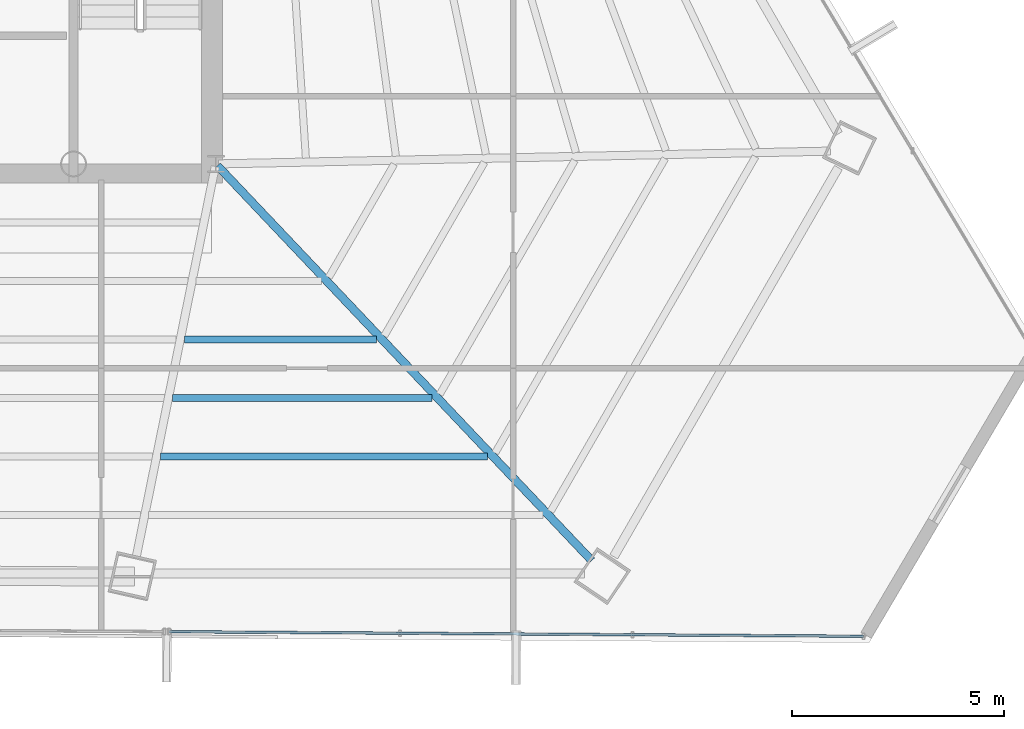
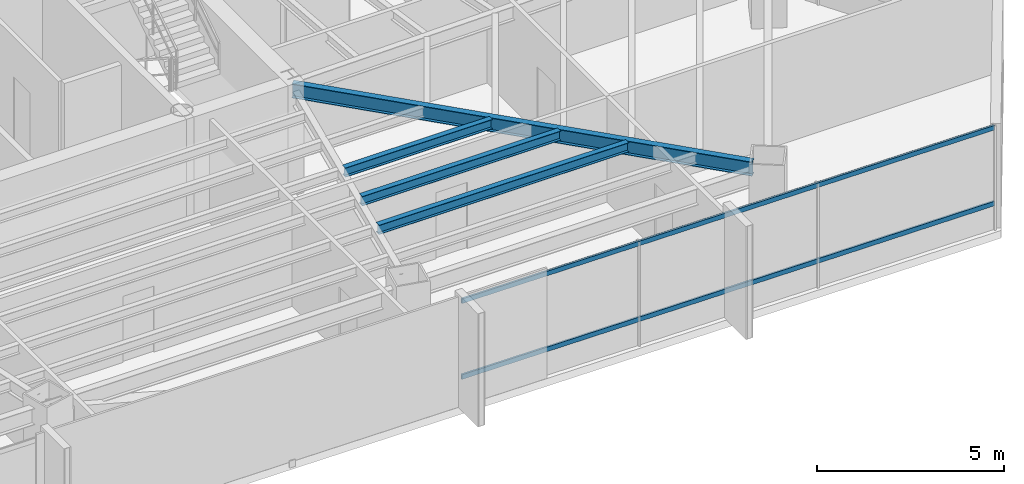
# One storey, part 18 of 41: 4 beams, 2 members, 1 element without a shape of its own.
"""IFC4 building model written with IfcOpenShell, lengths in metres."""

from ifc_helpers import new_model, si_unit, direction, frame, origin, origin_2d, place, context, subcontext, project, spatial, hollow_rectangle, i_section, extrude, source, transform, mapped, material, material_profile, profile_set, type_object, type_shapes, element, aggregate, save


model = new_model("IFC4")

# Units and contexts
model_context = context("Model", 3, precision=1e-05, world=origin(), true_north=direction((0.0, 1.0)))
body_context = subcontext(model_context, "Body", "Model", "MODEL_VIEW")
ifc_project = project(units=[si_unit("LENGTHUNIT", "METRE"), si_unit("AREAUNIT", "SQUARE_METRE"), si_unit("VOLUMEUNIT", "CUBIC_METRE"), si_unit("PLANEANGLEUNIT", "RADIAN"), si_unit("MASSUNIT", "GRAM", prefix="KILO")], contexts=[model_context])

# Site, building, storey
site_placement = place(None, origin())
site = spatial("IfcSite", under=ifc_project, at=site_placement, CompositionType="ELEMENT")
building_placement = place(site_placement, origin())
building = spatial("IfcBuilding", under=site, at=building_placement, Name="Caelisora Broadcast Tower", CompositionType="ELEMENT")
storey_placement = place(building_placement, frame((0.0, 0.0, 173.10009765625)))
storey = spatial("IfcBuildingStorey", under=building, at=storey_placement, Name="L45", CompositionType="ELEMENT", Elevation=173.10009765625)

# Beams
ifc_material_1 = material(Name="Steel Grade 350 (AS/NZS 3679.1)", Category="steel")
ifc_material_profile_1 = material_profile(ifc_material_1, i_section(OverallWidth=0.19091796875, OverallDepth=0.46044921875, WebThickness=0.010009765625, FlangeThickness=0.01611328125, at=origin_2d()), Name="Steel Grade 350 (AS/NZS 3679.1)")
ifc_profile_set_1 = profile_set([ifc_material_profile_1], Name="Steel Grade 350 (AS/NZS 3679.1)")
beam_type_1 = type_object("IfcBeamType", Name="PG06", PredefinedType="BEAM", material=ifc_profile_set_1)
shared_shape_1 = source(origin(), body_context, "Body", "SweptSolid", [
    extrude(i_section(OverallWidth=0.19091796875, OverallDepth=0.46044921875, WebThickness=0.010009765625, FlangeThickness=0.01611328125, at=origin_2d()), origin(), (0.0, 0.0, 1.0), 12.80908203125),
])
type_shapes(beam_type_1, [shared_shape_1])
beam_1_placement = place(storey_placement, frame((45.541259765625, 17.3564453125, 3.169677734375), z_axis=(0.687868345795, -0.725835476436, 0.0), x_axis=(0.725835476436, 0.687868345795, 0.0)))
element("IfcBeam", 1, at=beam_1_placement, inside=storey, type_object=beam_type_1, Name="L45 beam PG06", PredefinedType="BEAM", context=body_context, shape_type="MappedRepresentation", body=[
    mapped(shared_shape_1, transform((0.0, 0.0, 0.0), scale=1.0)),
])
ifc_material_profile_2 = material_profile(ifc_material_1, i_section(OverallWidth=0.166015625, OverallDepth=0.30712890625, WebThickness=0.006591796875, FlangeThickness=0.01171875, at=origin_2d()), Name="Steel Grade 350 (AS/NZS 3679.1)")
ifc_profile_set_2 = profile_set([ifc_material_profile_2], Name="Steel Grade 350 (AS/NZS 3679.1)")
beam_type_2 = type_object("IfcBeamType", Name="SB03", PredefinedType="JOIST", material=ifc_profile_set_2)
shared_shape_2 = source(origin(), body_context, "Body", "SweptSolid", [
    extrude(i_section(OverallWidth=0.166015625, OverallDepth=0.30712890625, WebThickness=0.006591796875, FlangeThickness=0.01171875, at=origin_2d()), origin(), (0.0, 0.0, 1.0), 4.53173828125),
])
beam_2_placement = place(storey_placement, frame((44.75732421875, 13.26611328125, 3.246337890625), z_axis=(1.0, 0.0, 0.0), x_axis=(0.0, 1.0, 0.0)))
element("IfcBeam", 2, at=beam_2_placement, inside=storey, type_object=beam_type_2, Name="L45 beam SB03", PredefinedType="JOIST", context=body_context, shape_type="MappedRepresentation", body=[
    mapped(shared_shape_2, transform((0.0, 0.0, 0.0), scale=1.0)),
])
shared_shape_3 = source(origin(), body_context, "Body", "SweptSolid", [
    extrude(i_section(OverallWidth=0.166015625, OverallDepth=0.30712890625, WebThickness=0.006591796875, FlangeThickness=0.01171875, at=origin_2d()), origin(), (0.0, 0.0, 1.0), 6.116455078125),
])
beam_3_placement = place(storey_placement, frame((44.478515625, 11.88818359375, 3.246337890625), z_axis=(1.0, 0.0, 0.0), x_axis=(0.0, 1.0, 0.0)))
element("IfcBeam", 3, at=beam_3_placement, inside=storey, type_object=beam_type_2, Name="L45 beam SB03", PredefinedType="JOIST", context=body_context, shape_type="MappedRepresentation", body=[
    mapped(shared_shape_3, transform((0.0, 0.0, 0.0), scale=1.0)),
])
shared_shape_4 = source(origin(), body_context, "Body", "SweptSolid", [
    extrude(i_section(OverallWidth=0.166015625, OverallDepth=0.30712890625, WebThickness=0.006591796875, FlangeThickness=0.01171875, at=origin_2d()), origin(), (0.0, 0.0, 1.0), 7.701416015625),
])
type_shapes(beam_type_2, [shared_shape_2, shared_shape_3, shared_shape_4])
beam_4_placement = place(storey_placement, frame((44.199462890625, 10.51025390625, 3.246337890625), z_axis=(1.0, 0.0, 0.0), x_axis=(0.0, 1.0, 0.0)))
element("IfcBeam", 4, at=beam_4_placement, inside=storey, type_object=beam_type_2, Name="L45 beam SB03", PredefinedType="JOIST", context=body_context, shape_type="MappedRepresentation", body=[
    mapped(shared_shape_4, transform((0.0, 0.0, 0.0), scale=1.0)),
])

# Curtain wall, members
ifc_material_2 = material(Name="Unitised Aluminium and Low-E Glass Curtain Wall", Category="glass")
curtain_wall_type = type_object("IfcCurtainWallType", Name="CW-Z3", PredefinedType="NOTDEFINED", material=ifc_material_2)
curtain_wall_placement = place(storey_placement, origin())
curtain_wall = element("IfcCurtainWall", 5, at=curtain_wall_placement, inside=storey, type_object=curtain_wall_type, Name="L45 curtain wall CW-Z3", PredefinedType="NOTDEFINED")
ifc_material_3 = material(Name="Aluminium 6063-T6 Anodised Terracotta Bronze", Category="aluminium")
ifc_material_profile_3 = material_profile(ifc_material_3, hollow_rectangle(XDim=0.06005859375, YDim=0.14990234375, WallThickness=0.00341796875, at=origin_2d()), Name="Aluminium 6063-T6 Anodised Terracotta Bronze")
ifc_profile_set_3 = profile_set([ifc_material_profile_3], Name="Aluminium 6063-T6 Anodised Terracotta Bronze")
member_type = type_object("IfcMemberType", Name="CWT-02", PredefinedType="USERDEFINED", material=ifc_profile_set_3)
shared_shape_5 = source(origin(), body_context, "Body", "SweptSolid", [
    extrude(hollow_rectangle(XDim=0.06005859375, YDim=0.14990234375, WallThickness=0.00341796875, at=origin_2d()), origin(), (0.0, 0.0, 1.0), 16.34814453125),
])
type_shapes(member_type, [shared_shape_5])
member_1_placement = place(storey_placement, frame((60.75, 6.2783203125, 0.849853515625), z_axis=(-0.999978116371, 0.006615646504, 0.0), x_axis=(-0.006615646504, -0.999978116371, 0.0)))
member_1 = element("IfcMember", 6, at=member_1_placement, type_object=member_type, Name="L45-CW-B05 transom #1", ObjectType="TRANSOM", PredefinedType="USERDEFINED", context=body_context, shape_type="MappedRepresentation", body=[
    mapped(shared_shape_5, transform((0.0, 0.0, 0.0), scale=1.0)),
])
member_2_placement = place(storey_placement, frame((60.75, 6.2783203125, 3.31982421875), z_axis=(-0.999978116371, 0.006615646504, 0.0), x_axis=(-0.006615646504, -0.999978116371, 0.0)))
member_2 = element("IfcMember", 7, at=member_2_placement, type_object=member_type, Name="L45-CW-B05 transom #2", ObjectType="TRANSOM", PredefinedType="USERDEFINED", context=body_context, shape_type="MappedRepresentation", body=[
    mapped(shared_shape_5, transform((0.0, 0.0, 0.0), scale=1.0)),
])
aggregate(curtain_wall, [member_1, member_2])

save(model, "model.ifc")
